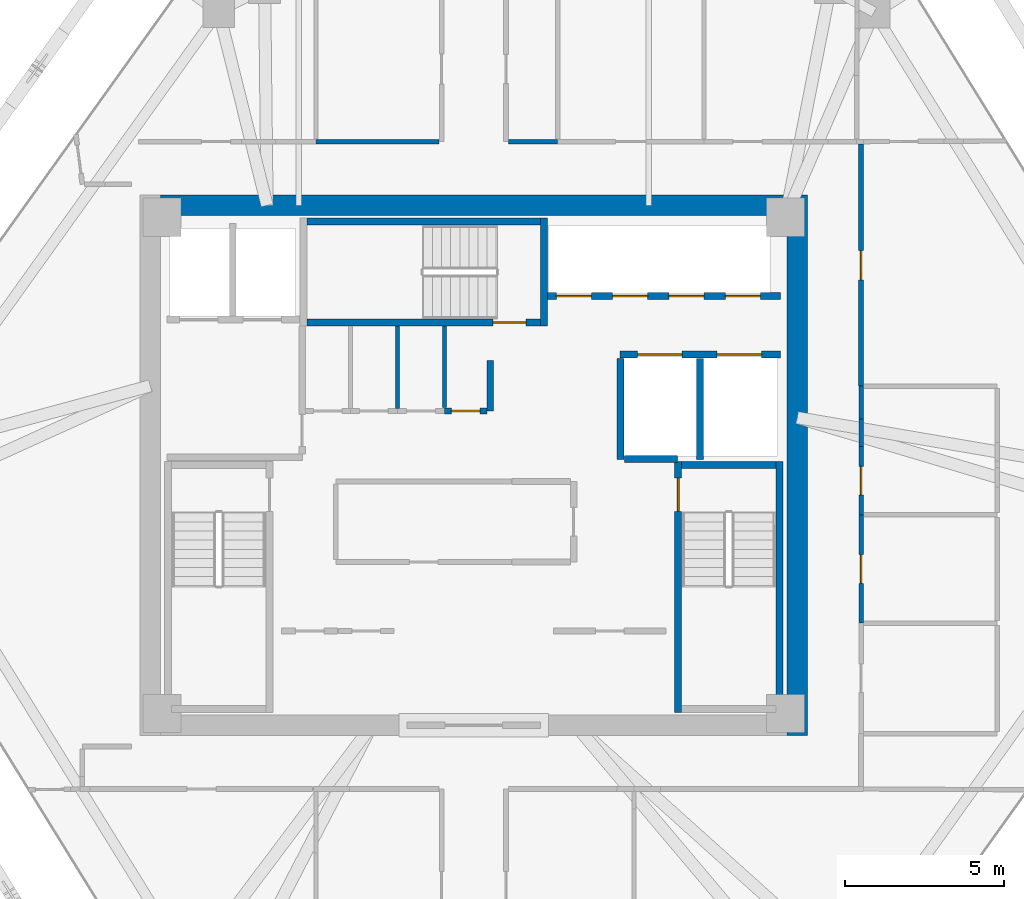
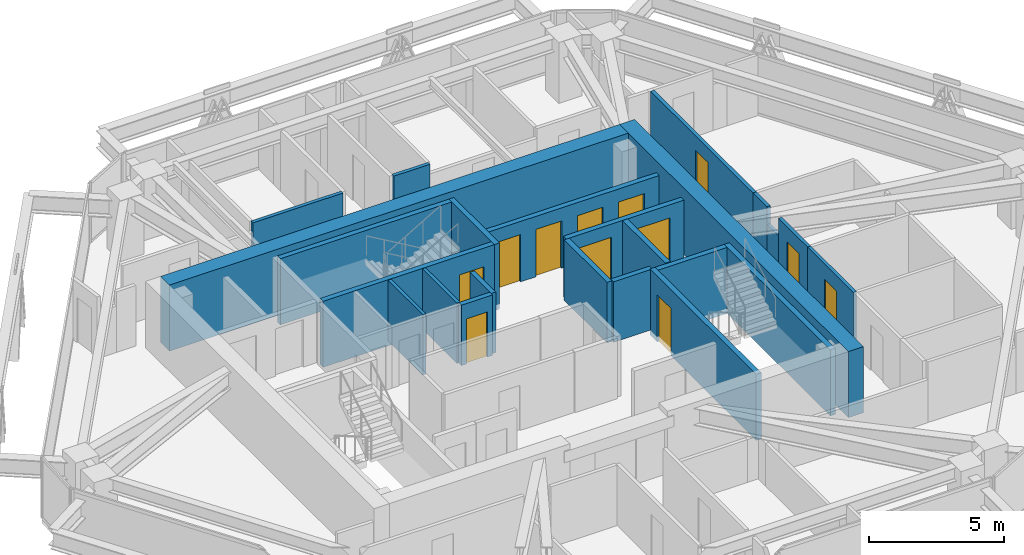
# One storey, part 12 of 15: 24 walls, 12 doors, 12 openings.
"""IFC4 building model written with IfcOpenShell, lengths in metres."""

from ifc_helpers import new_model, si_unit, direction, frame, frame_2d, origin, place, context, subcontext, project, spatial, rectangle, extrude, source, transform, mapped, material, layer, layer_set, type_object, type_shapes, element, fill, save


model = new_model("IFC4")

# Units and contexts
model_context = context("Model", 3, precision=1e-05, world=origin(), true_north=direction((0.0, 1.0)))
body_context = subcontext(model_context, "Body", "Model", "MODEL_VIEW")
ifc_project = project(units=[si_unit("LENGTHUNIT", "METRE"), si_unit("AREAUNIT", "SQUARE_METRE"), si_unit("VOLUMEUNIT", "CUBIC_METRE"), si_unit("PLANEANGLEUNIT", "RADIAN"), si_unit("MASSUNIT", "GRAM", prefix="KILO")], contexts=[model_context])

# Site, building, storey
site_placement = place(None, origin())
site = spatial("IfcSite", under=ifc_project, at=site_placement, CompositionType="ELEMENT")
building_placement = place(site_placement, origin())
building = spatial("IfcBuilding", under=site, at=building_placement, Name="Durnholm Broadcast Tower", CompositionType="ELEMENT")
storey_placement = place(building_placement, frame((0.0, 0.0, 206.199951171875)))
storey = spatial("IfcBuildingStorey", under=building, at=storey_placement, Name="L57", CompositionType="ELEMENT", Elevation=206.199951171875)

# Walls
ifc_material_1 = material(Name="Concrete C70/85", Category="concrete")
ifc_layer_1 = layer(ifc_material_1, 0.64990234375)
ifc_layer_set_1 = layer_set([ifc_layer_1], Name="Concrete C70/85")
wall_type_1 = type_object("IfcWallType", Name="WALL-CW-650", PredefinedType="SHEAR", material=ifc_layer_set_1)
wall_1_placement = place(storey_placement, frame((10.175048828125, -8.5, 0.0), z_axis=(0.0, 0.0, 1.0), x_axis=(0.0, 1.0, 0.0)))
element("IfcWall", 1, at=wall_1_placement, inside=storey, type_object=wall_type_1, Name="L57 central core shear wall CW-EAST", PredefinedType="SHEAR", context=body_context, shape_type="SweptSolid", body=[
    extrude(rectangle(XDim=17.0, YDim=0.64990234375, at=frame_2d((8.5, 0.0))), origin(), (0.0, 0.0, 1.0), 3.0),
])
wall_2_placement = place(storey_placement, frame((-9.85009765625, 8.175048828125, 0.0), z_axis=(0.0, 0.0, 1.0), x_axis=(1.0, 0.0, 0.0)))
element("IfcWall", 2, at=wall_2_placement, inside=storey, type_object=wall_type_1, Name="L57 central core shear wall CW-N", PredefinedType="SHEAR", context=body_context, shape_type="SweptSolid", body=[
    extrude(rectangle(XDim=19.7001953125, YDim=0.64990234375, at=frame_2d((9.85009765625, 0.0))), origin(), (0.0, 0.0, 1.0), 3.0),
])
ifc_material_2 = material(Name="Fire-Rated Gypsum Shaftwall", Category="concrete")
ifc_layer_2 = layer(ifc_material_2, 0.199951171875)
ifc_layer_set_2 = layer_set([ifc_layer_2], Name="Fire-Rated Gypsum Shaftwall")
wall_type_2 = type_object("IfcWallType", Name="WALL-LOB-200", PredefinedType="SOLIDWALL", material=ifc_layer_set_2)
wall_3_placement = place(storey_placement, frame((0.52001953125, 3.300048828125, 0.0), z_axis=(0.0, 0.0, 1.0), x_axis=(0.0, -1.0, 0.0)))
element("IfcWall", 3, at=wall_3_placement, inside=storey, type_object=wall_type_2, Name="L57 Core Signal Sync Room corridor partition", PredefinedType="SOLIDWALL", context=body_context, shape_type="SweptSolid", body=[
    extrude(rectangle(XDim=1.590087890625, YDim=0.199951171875, at=frame_2d((0.794921875, 0.0))), origin(), (0.0, 0.0, 1.0), 2.7451171875),
])

# Wall, opening, door
wall_4_placement = place(storey_placement, frame((0.416015625, 1.7099609375, 0.0), z_axis=(0.0, 0.0, 1.0), x_axis=(-1.0, 0.0, 0.0)))
wall_4 = element("IfcWall", 4, at=wall_4_placement, inside=storey, type_object=wall_type_2, Name="L57 Core Signal Sync Room corridor partition", PredefinedType="SOLIDWALL", context=body_context, shape_type="SweptSolid", body=[
    extrude(rectangle(XDim=1.3359375, YDim=0.199951171875, at=frame_2d((0.66796875, 0.0))), origin(), (0.0, 0.0, 1.0), 2.7451171875),
])
opening_1_placement = place(wall_4_placement, frame((0.218017578125, 0.0, 0.0)))
opening_1 = element("IfcOpeningElement", 5, at=opening_1_placement, cuts=wall_4, Name="Opening DC-60R", PredefinedType="OPENING", context=body_context, shape_type="SweptSolid", body=[
    extrude(rectangle(XDim=0.89990234375, YDim=2.050048828125, at=frame_2d((0.449951171875, 1.02490234375))), frame((0.0, 0.10986328125, 0.0), z_axis=(0.0, -1.0, 0.0), x_axis=(1.0, 0.0, 0.0)), (0.0, 0.0, 1.0), 0.219970703125),
])
ifc_material_3 = material(Name="Fire-Rated Core Service Door", Category="steel")
ifc_layer_3 = layer(ifc_material_3, 0.050048828125)
ifc_layer_set_3 = layer_set([ifc_layer_3], Name="Fire-Rated Core Service Door")
door_type_1 = type_object("IfcDoorType", Name="DOOR-CORE-FD60-R", OperationType="NOTDEFINED", PredefinedType="DOOR", material=ifc_layer_set_3)
shared_shape_1 = source(origin(), body_context, "Body", "SweptSolid", [
    extrude(rectangle(XDim=0.89990234375, YDim=2.050048828125, at=frame_2d((0.449951171875, 1.02490234375))), frame((0.0, 0.02490234375, 0.0), z_axis=(0.0, -1.0, 0.0), x_axis=(1.0, 0.0, 0.0)), (0.0, 0.0, 1.0), 0.050048828125),
])
type_shapes(door_type_1, [shared_shape_1])
door_1_placement = place(opening_1_placement, origin())
door_1 = element("IfcDoor", 6, at=door_1_placement, inside=storey, type_object=door_type_1, Name="L57 Core Signal Sync Room entrance door", OperationType="SINGLE_SWING_RIGHT", OverallHeight=2.050048828125, OverallWidth=0.89990234375, PredefinedType="DOOR", context=body_context, shape_type="MappedRepresentation", body=[
    mapped(shared_shape_1, transform((0.0, 0.0, 0.0), x_axis=(1.0, 0.0, 0.0), y_axis=(0.0, 1.0, 0.0), z_axis=(0.0, 0.0, 1.0), scale=1.0)),
])
fill(opening_1, door_1)

# Walls
ifc_material_4 = material(Name="Gypsum Metal Stud Partition", Category="concrete")
ifc_layer_4 = layer(ifc_material_4, 0.135009765625)
ifc_layer_set_4 = layer_set([ifc_layer_4], Name="Gypsum Metal Stud Partition")
wall_type_3 = type_object("IfcWallType", Name="WALL-PART-135", PredefinedType="PARTITIONING", material=ifc_layer_set_4)
wall_5_placement = place(storey_placement, frame((-2.39990234375, 4.375, 0.0), z_axis=(0.0, 0.0, 1.0), x_axis=(0.0, -1.0, 0.0)))
element("IfcWall", 7, at=wall_5_placement, inside=storey, type_object=wall_type_3, Name="L57 room dividing partition 7.8", PredefinedType="PARTITIONING", context=body_context, shape_type="SweptSolid", body=[
    extrude(rectangle(XDim=2.5859375, YDim=0.135009765625, at=frame_2d((1.29296875, 0.0))), origin(), (0.0, 0.0, 1.0), 2.7451171875),
])
wall_6_placement = place(storey_placement, frame((-0.919921875, 4.375, 0.0), z_axis=(0.0, 0.0, 1.0), x_axis=(0.0, -1.0, 0.0)))
element("IfcWall", 8, at=wall_6_placement, inside=storey, type_object=wall_type_3, Name="L57 room dividing partition 8.9", PredefinedType="PARTITIONING", context=body_context, shape_type="SweptSolid", body=[
    extrude(rectangle(XDim=2.56103515625, YDim=0.135009765625, at=frame_2d((1.280517578125, 0.0))), origin(), (0.0, 0.0, 1.0), 2.7451171875),
])
ifc_material_5 = material(Name="Acoustic Gypsum Stud Partition", Category="concrete")
ifc_layer_5 = layer(ifc_material_5, 0.14990234375)
ifc_layer_set_5 = layer_set([ifc_layer_5], Name="Acoustic Gypsum Stud Partition")
wall_type_4 = type_object("IfcWallType", Name="WALL-PART-150", PredefinedType="PARTITIONING", material=ifc_layer_set_5)
wall_7_placement = place(storey_placement, frame((-1.089111328125, 10.179931640625, 0.0), z_axis=(0.0, 0.0, 1.0), x_axis=(-1.0, 0.0, 0.0)))
element("IfcWall", 9, at=wall_7_placement, inside=storey, type_object=wall_type_4, Name="L57 Soundtrack Mixing Office corridor partition", PredefinedType="PARTITIONING", context=body_context, shape_type="SweptSolid", body=[
    extrude(rectangle(XDim=3.870849609375, YDim=0.14990234375, at=frame_2d((1.935546875, 0.0))), origin(), (0.0, 0.0, 1.0), 2.7451171875),
])
wall_8_placement = place(storey_placement, frame((2.639892578125, 10.179931640625, 0.0), z_axis=(0.0, 0.0, 1.0), x_axis=(-1.0, 0.0, 0.0)))
element("IfcWall", 10, at=wall_8_placement, inside=storey, type_object=wall_type_4, Name="L57 Licensing Meeting Room corridor partition", PredefinedType="PARTITIONING", context=body_context, shape_type="SweptSolid", body=[
    extrude(rectangle(XDim=1.55078125, YDim=0.14990234375, at=frame_2d((0.775390625, 0.0))), origin(), (0.0, 0.0, 1.0), 2.7451171875),
])

# Wall, opening, door
wall_9_placement = place(storey_placement, frame((12.179931640625, 2.489990234375, 0.0), z_axis=(0.0, 0.0, 1.0), x_axis=(0.0, 1.0, 0.0)))
wall_9 = element("IfcWall", 11, at=wall_9_placement, inside=storey, type_object=wall_type_4, Name="L57 Composer Office 2 corridor partition", PredefinedType="PARTITIONING", context=body_context, shape_type="SweptSolid", body=[
    extrude(rectangle(XDim=7.611083984375, YDim=0.14990234375, at=frame_2d((3.8056640625, 0.0))), origin(), (0.0, 0.0, 1.0), 2.7451171875),
])
opening_2_placement = place(wall_9_placement, frame((3.345458984375, 0.0, 0.0)))
opening_2 = element("IfcOpeningElement", 12, at=opening_2_placement, cuts=wall_9, Name="Opening DR-92L", PredefinedType="OPENING", context=body_context, shape_type="SweptSolid", body=[
    extrude(rectangle(XDim=0.919921875, YDim=2.10009765625, at=frame_2d((0.4599609375, 1.050048828125))), frame((0.0, 0.0849609375, 0.0), z_axis=(0.0, -1.0, 0.0), x_axis=(1.0, 0.0, 0.0)), (0.0, 0.0, 1.0), 0.169921875),
])
ifc_material_6 = material(Name="Oak Veneer Office Door", Category="wood")
ifc_layer_6 = layer(ifc_material_6, 0.050048828125)
ifc_layer_set_6 = layer_set([ifc_layer_6], Name="Oak Veneer Office Door")
door_type_2 = type_object("IfcDoorType", Name="DOOR-RM-920L", OperationType="NOTDEFINED", PredefinedType="DOOR", material=ifc_layer_set_6)
shared_shape_2 = source(origin(), body_context, "Body", "SweptSolid", [
    extrude(rectangle(XDim=0.919921875, YDim=2.10009765625, at=frame_2d((0.4599609375, 1.050048828125))), frame((0.0, 0.02490234375, 0.0), z_axis=(0.0, -1.0, 0.0), x_axis=(1.0, 0.0, 0.0)), (0.0, 0.0, 1.0), 0.050048828125),
])
type_shapes(door_type_2, [shared_shape_2])
door_2_placement = place(opening_2_placement, origin())
door_2 = element("IfcDoor", 13, at=door_2_placement, inside=storey, type_object=door_type_2, Name="L57 Composer Office 2 entrance door", OperationType="SINGLE_SWING_LEFT", OverallHeight=2.10009765625, OverallWidth=0.919921875, PredefinedType="DOOR", context=body_context, shape_type="MappedRepresentation", body=[
    mapped(shared_shape_2, transform((0.0, 0.0, 0.0), x_axis=(1.0, 0.0, 0.0), y_axis=(0.0, 1.0, 0.0), z_axis=(0.0, 0.0, 1.0), scale=1.0)),
])
fill(opening_2, door_2)

# Wall, openings, doors
ifc_material_7 = material(Name="Concrete Blockwork C30/37", Category="masonry")
ifc_layer_7 = layer(ifc_material_7, 0.219970703125)
ifc_layer_set_7 = layer_set([ifc_layer_7], Name="Concrete Blockwork C30/37")
wall_type_5 = type_object("IfcWallType", Name="WALL-SHAFT-220", PredefinedType="SOLIDWALL", material=ifc_layer_set_7)
wall_10_placement = place(storey_placement, frame((4.60009765625, 3.47998046875, 0.0), z_axis=(0.0, 0.0, 1.0), x_axis=(1.0, 0.0, 0.0)))
wall_10 = element("IfcWall", 14, at=wall_10_placement, inside=storey, type_object=wall_type_5, Name="L57 freight service lifts north front wall", PredefinedType="SOLIDWALL", context=body_context, shape_type="SweptSolid", body=[
    extrude(rectangle(XDim=5.0498046875, YDim=0.219970703125, at=frame_2d((2.52490234375, 0.0))), origin(), (0.0, 0.0, 1.0), 2.7451171875),
])
opening_3_placement = place(wall_10_placement, frame((0.550048828125, 0.0, 0.0)))
opening_3 = element("IfcOpeningElement", 15, at=opening_3_placement, cuts=wall_10, Name="Opening LD-SVL-2", PredefinedType="OPENING", context=body_context, shape_type="SweptSolid", body=[
    extrude(rectangle(XDim=1.39990234375, YDim=2.14990234375, at=frame_2d((0.699951171875, 1.074951171875))), frame((0.0, 0.1201171875, 0.0), z_axis=(0.0, -1.0, 0.0), x_axis=(1.0, 0.0, 0.0)), (0.0, 0.0, 1.0), 0.239990234375),
])
opening_4_placement = place(wall_10_placement, frame((3.050048828125, 0.0, 0.0)))
opening_4 = element("IfcOpeningElement", 16, at=opening_4_placement, cuts=wall_10, Name="Opening LD-SVL-1", PredefinedType="OPENING", context=body_context, shape_type="SweptSolid", body=[
    extrude(rectangle(XDim=1.39990234375, YDim=2.14990234375, at=frame_2d((0.699951171875, 1.074951171875))), frame((0.0, 0.1201171875, 0.0), z_axis=(0.0, -1.0, 0.0), x_axis=(1.0, 0.0, 0.0)), (0.0, 0.0, 1.0), 0.239990234375),
])
ifc_material_8 = material(Name="Freight Elevator Bi-Parting Sliding Landing Door", Category="steel")
ifc_layer_8 = layer(ifc_material_8, 0.050048828125)
ifc_layer_set_8 = layer_set([ifc_layer_8], Name="Freight Elevator Bi-Parting Sliding Landing Door")
door_type_3 = type_object("IfcDoorType", Name="DOOR-LIFT-SVL", OperationType="DOUBLE_DOOR_SLIDING", PredefinedType="DOOR", material=ifc_layer_set_8)
shared_shape_3 = source(origin(), body_context, "Body", "SweptSolid", [
    extrude(rectangle(XDim=1.39990234375, YDim=2.14990234375, at=frame_2d((0.699951171875, 1.074951171875))), frame((0.0, 0.02490234375, 0.0), z_axis=(0.0, -1.0, 0.0), x_axis=(1.0, 0.0, 0.0)), (0.0, 0.0, 1.0), 0.050048828125),
])
type_shapes(door_type_3, [shared_shape_3])
door_3_placement = place(opening_3_placement, origin())
door_3 = element("IfcDoor", 17, at=door_3_placement, inside=storey, type_object=door_type_3, Name="L57 freight service elevator SVL-2 sliding landing door", OperationType="DOUBLE_DOOR_SLIDING", OverallHeight=2.14990234375, OverallWidth=1.39990234375, PredefinedType="DOOR", context=body_context, shape_type="MappedRepresentation", body=[
    mapped(shared_shape_3, transform((0.0, 0.0, 0.0), x_axis=(1.0, 0.0, 0.0), y_axis=(0.0, 1.0, 0.0), z_axis=(0.0, 0.0, 1.0), scale=1.0)),
])
fill(opening_3, door_3)
door_4_placement = place(opening_4_placement, origin())
door_4 = element("IfcDoor", 18, at=door_4_placement, inside=storey, type_object=door_type_3, Name="L57 freight service elevator SVL-1 sliding landing door", OperationType="DOUBLE_DOOR_SLIDING", OverallHeight=2.14990234375, OverallWidth=1.39990234375, PredefinedType="DOOR", context=body_context, shape_type="MappedRepresentation", body=[
    mapped(shared_shape_3, transform((0.0, 0.0, 0.0), x_axis=(1.0, 0.0, 0.0), y_axis=(0.0, 1.0, 0.0), z_axis=(0.0, 0.0, 1.0), scale=1.0)),
])
fill(opening_4, door_4)

# Walls
for number, where, z_axis, x_axis, name in (
    (19, (4.6201171875, 0.179931640625, 0.0), (0.0, 0.0, 1.0), (0.0, 1.0, 0.0), "L57 freight service lift SVL-2 west wall"),
    (20, (7.1201171875, 0.179931640625, 0.0), (0.0, 0.0, 1.0), (0.0, 1.0, 0.0), "L57 freight service lifts divider wall"),
):
    element("IfcWall", number, at=place(storey_placement, frame(where, z_axis=z_axis, x_axis=x_axis)), inside=storey, type_object=wall_type_5, Name=name, PredefinedType="SOLIDWALL", context=body_context, shape_type="SweptSolid", body=[
        extrude(rectangle(XDim=3.18603515625, YDim=0.219970703125, at=frame_2d((1.593017578125, 0.0))), origin(), (0.0, 0.0, 1.0), 2.7451171875),
    ])
wall_11_placement = place(storey_placement, frame((4.73388671875, 0.199951171875, 0.0), z_axis=(0.0, 0.0, 1.0), x_axis=(1.0, 0.0, 0.0)))
element("IfcWall", 21, at=wall_11_placement, inside=storey, type_object=wall_type_5, Name="L57 freight service lift SVL-2 south wall", PredefinedType="SOLIDWALL", context=body_context, shape_type="SweptSolid", body=[
    extrude(rectangle(XDim=1.666015625, YDim=0.219970703125, at=frame_2d((0.8330078125, 0.0))), origin(), (0.0, 0.0, 1.0), 2.7451171875),
])

# Wall, openings, doors
wall_12_placement = place(storey_placement, frame((2.324951171875, 5.320068359375, 0.0), z_axis=(0.0, 0.0, 1.0), x_axis=(1.0, 0.0, 0.0)))
wall_12 = element("IfcWall", 22, at=wall_12_placement, inside=storey, type_object=wall_type_5, Name="L57 high-rise bank P3 south front wall", PredefinedType="SOLIDWALL", context=body_context, shape_type="SweptSolid", body=[
    extrude(rectangle(XDim=7.324951171875, YDim=0.219970703125, at=frame_2d((3.66259765625, 0.0))), origin(), (0.0, 0.0, 1.0), 2.7451171875),
])
opening_5_placement = place(wall_12_placement, frame((0.27490234375, 0.0, 0.0)))
opening_5 = element("IfcOpeningElement", 23, at=opening_5_placement, cuts=wall_12, Name="Opening LD-LP3-1", PredefinedType="OPENING", context=body_context, shape_type="SweptSolid", body=[
    extrude(rectangle(XDim=1.10009765625, YDim=2.14990234375, at=frame_2d((0.550048828125, 1.074951171875))), frame((0.0, 0.1201171875, 0.0), z_axis=(0.0, -1.0, 0.0), x_axis=(1.0, 0.0, 0.0)), (0.0, 0.0, 1.0), 0.239990234375),
])
opening_6_placement = place(wall_12_placement, frame((2.044921875, 0.0, 0.0)))
opening_6 = element("IfcOpeningElement", 24, at=opening_6_placement, cuts=wall_12, Name="Opening LD-LP3-2", PredefinedType="OPENING", context=body_context, shape_type="SweptSolid", body=[
    extrude(rectangle(XDim=1.10009765625, YDim=2.14990234375, at=frame_2d((0.550048828125, 1.074951171875))), frame((0.0, 0.1201171875, 0.0), z_axis=(0.0, -1.0, 0.0), x_axis=(1.0, 0.0, 0.0)), (0.0, 0.0, 1.0), 0.239990234375),
])
opening_7_placement = place(wall_12_placement, frame((3.81494140625, 0.0, 0.0)))
opening_7 = element("IfcOpeningElement", 25, at=opening_7_placement, cuts=wall_12, Name="Opening LD-LP3-3", PredefinedType="OPENING", context=body_context, shape_type="SweptSolid", body=[
    extrude(rectangle(XDim=1.10009765625, YDim=2.14990234375, at=frame_2d((0.550048828125, 1.074951171875))), frame((0.0, 0.1201171875, 0.0), z_axis=(0.0, -1.0, 0.0), x_axis=(1.0, 0.0, 0.0)), (0.0, 0.0, 1.0), 0.239990234375),
])
opening_8_placement = place(wall_12_placement, frame((5.5849609375, 0.0, 0.0)))
opening_8 = element("IfcOpeningElement", 26, at=opening_8_placement, cuts=wall_12, Name="Opening LD-LP3-4", PredefinedType="OPENING", context=body_context, shape_type="SweptSolid", body=[
    extrude(rectangle(XDim=1.10009765625, YDim=2.14990234375, at=frame_2d((0.550048828125, 1.074951171875))), frame((0.0, 0.1201171875, 0.0), z_axis=(0.0, -1.0, 0.0), x_axis=(1.0, 0.0, 0.0)), (0.0, 0.0, 1.0), 0.239990234375),
])
ifc_material_9 = material(Name="Stainless Steel Sliding Elevator Landing Door", Category="steel")
ifc_layer_9 = layer(ifc_material_9, 0.050048828125)
ifc_layer_set_9 = layer_set([ifc_layer_9], Name="Stainless Steel Sliding Elevator Landing Door")
door_type_4 = type_object("IfcDoorType", Name="DOOR-LIFT-PAX", OperationType="DOUBLE_DOOR_SLIDING", PredefinedType="DOOR", material=ifc_layer_set_9)
shared_shape_4 = source(origin(), body_context, "Body", "SweptSolid", [
    extrude(rectangle(XDim=1.10009765625, YDim=2.14990234375, at=frame_2d((0.550048828125, 1.074951171875))), frame((0.0, 0.02490234375, 0.0), z_axis=(0.0, -1.0, 0.0), x_axis=(1.0, 0.0, 0.0)), (0.0, 0.0, 1.0), 0.050048828125),
])
type_shapes(door_type_4, [shared_shape_4])
door_5_placement = place(opening_5_placement, origin())
door_5 = element("IfcDoor", 27, at=door_5_placement, inside=storey, type_object=door_type_4, Name="L57 high-rise elevator LP3-1 sliding landing door", OperationType="DOUBLE_DOOR_SLIDING", OverallHeight=2.14990234375, OverallWidth=1.10009765625, PredefinedType="DOOR", context=body_context, shape_type="MappedRepresentation", body=[
    mapped(shared_shape_4, transform((0.0, 0.0, 0.0), x_axis=(1.0, 0.0, 0.0), y_axis=(0.0, 1.0, 0.0), z_axis=(0.0, 0.0, 1.0), scale=1.0)),
])
fill(opening_5, door_5)
door_6_placement = place(opening_6_placement, origin())
door_6 = element("IfcDoor", 28, at=door_6_placement, inside=storey, type_object=door_type_4, Name="L57 high-rise elevator LP3-2 sliding landing door", OperationType="DOUBLE_DOOR_SLIDING", OverallHeight=2.14990234375, OverallWidth=1.10009765625, PredefinedType="DOOR", context=body_context, shape_type="MappedRepresentation", body=[
    mapped(shared_shape_4, transform((0.0, 0.0, 0.0), x_axis=(1.0, 0.0, 0.0), y_axis=(0.0, 1.0, 0.0), z_axis=(0.0, 0.0, 1.0), scale=1.0)),
])
fill(opening_6, door_6)
door_7_placement = place(opening_7_placement, origin())
door_7 = element("IfcDoor", 29, at=door_7_placement, inside=storey, type_object=door_type_4, Name="L57 high-rise elevator LP3-3 sliding landing door", OperationType="DOUBLE_DOOR_SLIDING", OverallHeight=2.14990234375, OverallWidth=1.10009765625, PredefinedType="DOOR", context=body_context, shape_type="MappedRepresentation", body=[
    mapped(shared_shape_4, transform((0.0, 0.0, 0.0), x_axis=(1.0, 0.0, 0.0), y_axis=(0.0, 1.0, 0.0), z_axis=(0.0, 0.0, 1.0), scale=1.0)),
])
fill(opening_7, door_7)
door_8_placement = place(opening_8_placement, origin())
door_8 = element("IfcDoor", 30, at=door_8_placement, inside=storey, type_object=door_type_4, Name="L57 high-rise elevator LP3-4 sliding landing door", OperationType="DOUBLE_DOOR_SLIDING", OverallHeight=2.14990234375, OverallWidth=1.10009765625, PredefinedType="DOOR", context=body_context, shape_type="MappedRepresentation", body=[
    mapped(shared_shape_4, transform((0.0, 0.0, 0.0), x_axis=(1.0, 0.0, 0.0), y_axis=(0.0, 1.0, 0.0), z_axis=(0.0, 0.0, 1.0), scale=1.0)),
])
fill(opening_8, door_8)

# Wall
ifc_material_10 = material(Name="Concrete C50/60", Category="concrete")
ifc_layer_10 = layer(ifc_material_10, 0.219970703125)
ifc_layer_set_10 = layer_set([ifc_layer_10], Name="Concrete C50/60")
wall_type_6 = type_object("IfcWallType", Name="WALL-SW-220", PredefinedType="SHEAR", material=ifc_layer_set_10)
wall_13_placement = place(storey_placement, frame((9.610107421875, -7.77001953125, -0.239990234375), z_axis=(0.0, 0.0, 1.0), x_axis=(0.0, 1.0, 0.0)))
element("IfcWall", 31, at=wall_13_placement, inside=storey, type_object=wall_type_6, Name="L57 stair ST-2 structural shaft wall E", PredefinedType="SHEAR", context=body_context, shape_type="SweptSolid", body=[
    extrude(rectangle(XDim=7.89013671875, YDim=0.219970703125, at=frame_2d((3.945068359375, 0.0))), origin(), (0.0, 0.0, 1.0), 3.0),
])

# Wall, opening, door
wall_14_placement = place(storey_placement, frame((6.429931640625, 0.1201171875, -0.239990234375), z_axis=(0.0, 0.0, 1.0), x_axis=(0.0, -1.0, 0.0)))
wall_14 = element("IfcWall", 32, at=wall_14_placement, inside=storey, type_object=wall_type_6, Name="L57 stair ST-2 structural shaft wall W", PredefinedType="SHEAR", context=body_context, shape_type="SweptSolid", body=[
    extrude(rectangle(XDim=7.89013671875, YDim=0.219970703125, at=frame_2d((3.945068359375, 0.0))), origin(), (0.0, 0.0, 1.0), 3.0),
])
opening_9_placement = place(wall_14_placement, frame((0.52001953125, 0.0, 0.0)))
opening_9 = element("IfcOpeningElement", 33, at=opening_9_placement, cuts=wall_14, Name="Opening DS-90R", PredefinedType="OPENING", context=body_context, shape_type="SweptSolid", body=[
    extrude(rectangle(XDim=1.050048828125, YDim=2.14990234375, at=frame_2d((0.52490234375, 1.074951171875))), frame((0.0, 0.1201171875, 0.0), z_axis=(0.0, -1.0, 0.0), x_axis=(1.0, 0.0, 0.0)), (0.0, 0.0, 1.0), 0.239990234375),
])
ifc_material_11 = material(Name="Fire-Rated Steel Door", Category="steel")
ifc_layer_11 = layer(ifc_material_11, 0.050048828125)
ifc_layer_set_11 = layer_set([ifc_layer_11], Name="Fire-Rated Steel Door")
door_type_5 = type_object("IfcDoorType", Name="DOOR-ST-FD90-R", OperationType="NOTDEFINED", PredefinedType="DOOR", material=ifc_layer_set_11)
shared_shape_5 = source(origin(), body_context, "Body", "SweptSolid", [
    extrude(rectangle(XDim=1.050048828125, YDim=2.14990234375, at=frame_2d((0.52490234375, 1.074951171875))), frame((0.0, 0.02490234375, 0.0), z_axis=(0.0, -1.0, 0.0), x_axis=(1.0, 0.0, 0.0)), (0.0, 0.0, 1.0), 0.050048828125),
])
type_shapes(door_type_5, [shared_shape_5])
door_9_placement = place(opening_9_placement, origin())
door_9 = element("IfcDoor", 34, at=door_9_placement, inside=storey, type_object=door_type_5, Name="L57 exit stair ST-2 fire door", OperationType="SINGLE_SWING_RIGHT", OverallHeight=2.14990234375, OverallWidth=1.050048828125, PredefinedType="DOOR", context=body_context, shape_type="MappedRepresentation", body=[
    mapped(shared_shape_5, transform((0.0, 0.0, 0.0), x_axis=(1.0, 0.0, 0.0), y_axis=(0.0, 1.0, 0.0), z_axis=(0.0, 0.0, 1.0), scale=1.0)),
])
fill(opening_9, door_9)

# Walls
wall_15_placement = place(storey_placement, frame((9.5, 0.010009765625, -0.239990234375), z_axis=(0.0, 0.0, 1.0), x_axis=(-1.0, 0.0, 0.0)))
element("IfcWall", 35, at=wall_15_placement, inside=storey, type_object=wall_type_6, Name="L57 stair ST-2 structural shaft wall N", PredefinedType="SHEAR", context=body_context, shape_type="SweptSolid", body=[
    extrude(rectangle(XDim=2.9599609375, YDim=0.219970703125, at=frame_2d((1.47998046875, 0.0))), origin(), (0.0, 0.0, 1.0), 3.0),
])
wall_16_placement = place(storey_placement, frame((2.2099609375, 4.3798828125, -0.239990234375), z_axis=(0.0, 0.0, 1.0), x_axis=(0.0, 1.0, 0.0)))
element("IfcWall", 36, at=wall_16_placement, inside=storey, type_object=wall_type_6, Name="L57 stair ST-3 structural shaft wall E", PredefinedType="SHEAR", context=body_context, shape_type="SweptSolid", body=[
    extrude(rectangle(XDim=3.400146484375, YDim=0.219970703125, at=frame_2d((1.7001953125, 0.0))), origin(), (0.0, 0.0, 1.0), 3.0),
])

# Wall, opening, door
wall_17_placement = place(storey_placement, frame((-5.25, 4.489990234375, -0.239990234375), z_axis=(0.0, 0.0, 1.0), x_axis=(1.0, 0.0, 0.0)))
wall_17 = element("IfcWall", 37, at=wall_17_placement, inside=storey, type_object=wall_type_6, Name="L57 stair ST-3 structural shaft wall S", PredefinedType="SHEAR", context=body_context, shape_type="SweptSolid", body=[
    extrude(rectangle(XDim=7.35009765625, YDim=0.219970703125, at=frame_2d((3.675048828125, 0.0))), origin(), (0.0, 0.0, 1.0), 3.0),
])
opening_10_placement = place(wall_17_placement, frame((5.85009765625, 0.0, 0.0)))
opening_10 = element("IfcOpeningElement", 38, at=opening_10_placement, cuts=wall_17, Name="Opening DS-90L", PredefinedType="OPENING", context=body_context, shape_type="SweptSolid", body=[
    extrude(rectangle(XDim=1.050048828125, YDim=2.14990234375, at=frame_2d((0.52490234375, 1.074951171875))), frame((0.0, 0.1201171875, 0.0), z_axis=(0.0, -1.0, 0.0), x_axis=(1.0, 0.0, 0.0)), (0.0, 0.0, 1.0), 0.239990234375),
])
ifc_layer_12 = layer(ifc_material_11, 0.050048828125)
ifc_layer_set_12 = layer_set([ifc_layer_12], Name="Fire-Rated Steel Door")
door_type_6 = type_object("IfcDoorType", Name="DOOR-ST-FD90-L", OperationType="NOTDEFINED", PredefinedType="DOOR", material=ifc_layer_set_12)
shared_shape_6 = source(origin(), body_context, "Body", "SweptSolid", [
    extrude(rectangle(XDim=1.050048828125, YDim=2.14990234375, at=frame_2d((0.52490234375, 1.074951171875))), frame((0.0, 0.02490234375, 0.0), z_axis=(0.0, -1.0, 0.0), x_axis=(1.0, 0.0, 0.0)), (0.0, 0.0, 1.0), 0.050048828125),
])
type_shapes(door_type_6, [shared_shape_6])
door_10_placement = place(opening_10_placement, origin())
door_10 = element("IfcDoor", 39, at=door_10_placement, inside=storey, type_object=door_type_6, Name="L57 exit stair ST-3 fire door", OperationType="SINGLE_SWING_LEFT", OverallHeight=2.14990234375, OverallWidth=1.050048828125, PredefinedType="DOOR", context=body_context, shape_type="MappedRepresentation", body=[
    mapped(shared_shape_6, transform((0.0, 0.0, 0.0), x_axis=(1.0, 0.0, 0.0), y_axis=(0.0, 1.0, 0.0), z_axis=(0.0, 0.0, 1.0), scale=1.0)),
])
fill(opening_10, door_10)

# Wall
wall_18_placement = place(storey_placement, frame((2.10009765625, 7.669921875, -0.239990234375), z_axis=(0.0, 0.0, 1.0), x_axis=(-1.0, 0.0, 0.0)))
element("IfcWall", 40, at=wall_18_placement, inside=storey, type_object=wall_type_6, Name="L57 stair ST-3 structural shaft wall N", PredefinedType="SHEAR", context=body_context, shape_type="SweptSolid", body=[
    extrude(rectangle(XDim=7.35009765625, YDim=0.219970703125, at=frame_2d((3.675048828125, 0.0))), origin(), (0.0, 0.0, 1.0), 3.0),
])

# Wall, opening, door
ifc_material_12 = material(Name="Moisture-Resistant Tile Partition", Category="concrete")
ifc_layer_13 = layer(ifc_material_12, 0.139892578125)
ifc_layer_set_13 = layer_set([ifc_layer_13], Name="Moisture-Resistant Tile Partition")
wall_type_7 = type_object("IfcWallType", Name="WALL-WC-140", PredefinedType="PARTITIONING", material=ifc_layer_set_13)
wall_19_placement = place(storey_placement, frame((12.179931640625, -4.9599609375, 0.0), z_axis=(0.0, 0.0, 1.0), x_axis=(0.0, 1.0, 0.0)))
wall_19 = element("IfcWall", 41, at=wall_19_placement, inside=storey, type_object=wall_type_7, Name="L57 Women's Restroom corridor partition", PredefinedType="PARTITIONING", context=body_context, shape_type="SweptSolid", body=[
    extrude(rectangle(XDim=3.39990234375, YDim=0.139892578125, at=frame_2d((1.699951171875, 0.0))), origin(), (0.0, 0.0, 1.0), 2.7451171875),
])
opening_11_placement = place(wall_19_placement, frame((1.25, 0.0, 0.0)))
opening_11 = element("IfcOpeningElement", 42, at=opening_11_placement, cuts=wall_19, Name="Opening DW-90R", PredefinedType="OPENING", context=body_context, shape_type="SweptSolid", body=[
    extrude(rectangle(XDim=0.89990234375, YDim=2.050048828125, at=frame_2d((0.449951171875, 1.02490234375))), frame((0.0, 0.080078125, 0.0), z_axis=(0.0, -1.0, 0.0), x_axis=(1.0, 0.0, 0.0)), (0.0, 0.0, 1.0), 0.159912109375),
])
ifc_material_13 = material(Name="Laminate Restroom Door", Category="steel")
ifc_layer_14 = layer(ifc_material_13, 0.050048828125)
ifc_layer_set_14 = layer_set([ifc_layer_14], Name="Laminate Restroom Door")
door_type_7 = type_object("IfcDoorType", Name="DOOR-WC-900R", OperationType="NOTDEFINED", PredefinedType="DOOR", material=ifc_layer_set_14)
shared_shape_7 = source(origin(), body_context, "Body", "SweptSolid", [
    extrude(rectangle(XDim=0.89990234375, YDim=2.050048828125, at=frame_2d((0.449951171875, 1.02490234375))), frame((0.0, 0.02490234375, 0.0), z_axis=(0.0, -1.0, 0.0), x_axis=(1.0, 0.0, 0.0)), (0.0, 0.0, 1.0), 0.050048828125),
])
type_shapes(door_type_7, [shared_shape_7])
door_11_placement = place(opening_11_placement, origin())
door_11 = element("IfcDoor", 43, at=door_11_placement, inside=storey, type_object=door_type_7, Name="L57 Women's Restroom entrance door", OperationType="SINGLE_SWING_RIGHT", OverallHeight=2.050048828125, OverallWidth=0.89990234375, PredefinedType="DOOR", context=body_context, shape_type="MappedRepresentation", body=[
    mapped(shared_shape_7, transform((0.0, 0.0, 0.0), x_axis=(1.0, 0.0, 0.0), y_axis=(0.0, 1.0, 0.0), z_axis=(0.0, 0.0, 1.0), scale=1.0)),
])
fill(opening_11, door_11)

wall_20_placement = place(storey_placement, frame((12.179931640625, -1.56005859375, 0.0), z_axis=(0.0, 0.0, 1.0), x_axis=(0.0, 1.0, 0.0)))
wall_20 = element("IfcWall", 44, at=wall_20_placement, inside=storey, type_object=wall_type_7, Name="L57 Accessible Restroom corridor partition", PredefinedType="PARTITIONING", context=body_context, shape_type="SweptSolid", body=[
    extrude(rectangle(XDim=2.158935546875, YDim=0.139892578125, at=frame_2d((1.07958984375, 0.0))), origin(), (0.0, 0.0, 1.0), 2.7451171875),
])
opening_12_placement = place(wall_20_placement, frame((0.62939453125, 0.0, 0.0)))
opening_12 = element("IfcOpeningElement", 45, at=opening_12_placement, cuts=wall_20, Name="Opening DW-90L", PredefinedType="OPENING", context=body_context, shape_type="SweptSolid", body=[
    extrude(rectangle(XDim=0.89990234375, YDim=2.050048828125, at=frame_2d((0.449951171875, 1.02490234375))), frame((0.0, 0.080078125, 0.0), z_axis=(0.0, -1.0, 0.0), x_axis=(1.0, 0.0, 0.0)), (0.0, 0.0, 1.0), 0.159912109375),
])
ifc_layer_15 = layer(ifc_material_13, 0.050048828125)
ifc_layer_set_15 = layer_set([ifc_layer_15], Name="Laminate Restroom Door")
door_type_8 = type_object("IfcDoorType", Name="DOOR-WC-900L", OperationType="NOTDEFINED", PredefinedType="DOOR", material=ifc_layer_set_15)
shared_shape_8 = source(origin(), body_context, "Body", "SweptSolid", [
    extrude(rectangle(XDim=0.89990234375, YDim=2.050048828125, at=frame_2d((0.449951171875, 1.02490234375))), frame((0.0, 0.02490234375, 0.0), z_axis=(0.0, -1.0, 0.0), x_axis=(1.0, 0.0, 0.0)), (0.0, 0.0, 1.0), 0.050048828125),
])
type_shapes(door_type_8, [shared_shape_8])
door_12_placement = place(opening_12_placement, origin())
door_12 = element("IfcDoor", 46, at=door_12_placement, inside=storey, type_object=door_type_8, Name="L57 Accessible Restroom entrance door", OperationType="SINGLE_SWING_LEFT", OverallHeight=2.050048828125, OverallWidth=0.89990234375, PredefinedType="DOOR", context=body_context, shape_type="MappedRepresentation", body=[
    mapped(shared_shape_8, transform((0.0, 0.0, 0.0), x_axis=(1.0, 0.0, 0.0), y_axis=(0.0, 1.0, 0.0), z_axis=(0.0, 0.0, 1.0), scale=1.0)),
])
fill(opening_12, door_12)

# Walls
wall_21_placement = place(storey_placement, frame((12.179931640625, 1.451904296875, 0.0), z_axis=(0.0, 0.0, 1.0), x_axis=(0.0, 1.0, 0.0)))
element("IfcWall", 47, at=wall_21_placement, inside=storey, type_object=wall_type_7, Name="L57 Accessible Restroom corridor partition", PredefinedType="PARTITIONING", context=body_context, shape_type="SweptSolid", body=[
    extrude(rectangle(XDim=1.0380859375, YDim=0.139892578125, at=frame_2d((0.51904296875, 0.0))), origin(), (0.0, 0.0, 1.0), 2.7451171875),
])
wall_22_placement = place(storey_placement, frame((12.179931640625, 0.598876953125, 0.0), z_axis=(0.0, 0.0, 1.0), x_axis=(0.0, 1.0, 0.0)))
element("IfcWall", 48, at=wall_22_placement, inside=storey, type_object=wall_type_7, Name="L57 Accessible Restroom corridor partition", PredefinedType="PARTITIONING", context=body_context, shape_type="SweptSolid", body=[
    extrude(rectangle(XDim=0.85302734375, YDim=0.139892578125, at=frame_2d((0.426513671875, 0.0))), origin(), (0.0, 0.0, 1.0), 1.94189453125),
])

save(model, "model.ifc")
